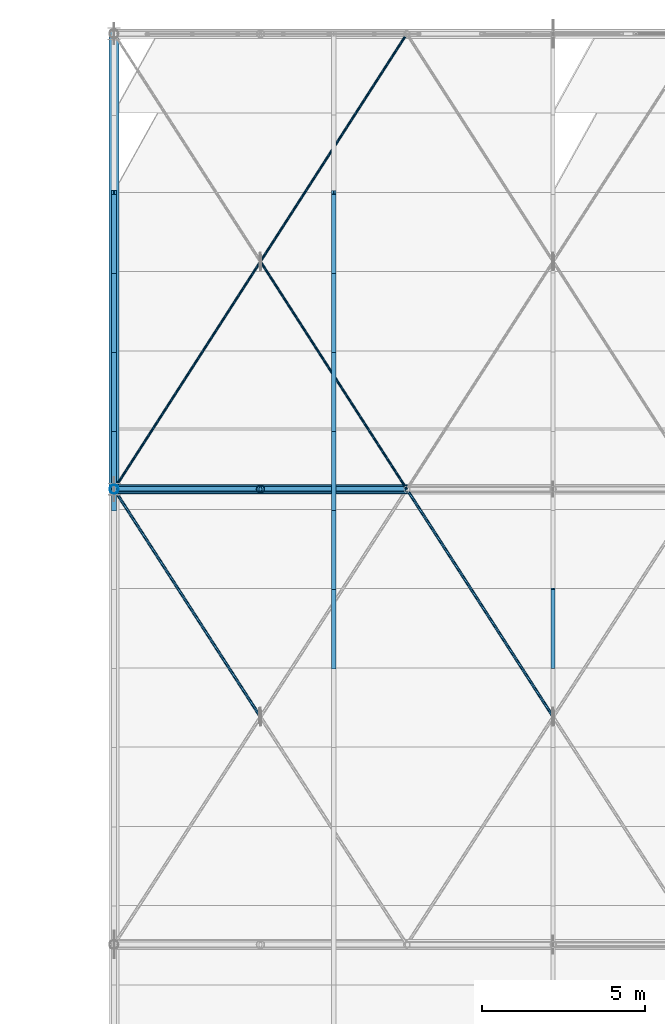
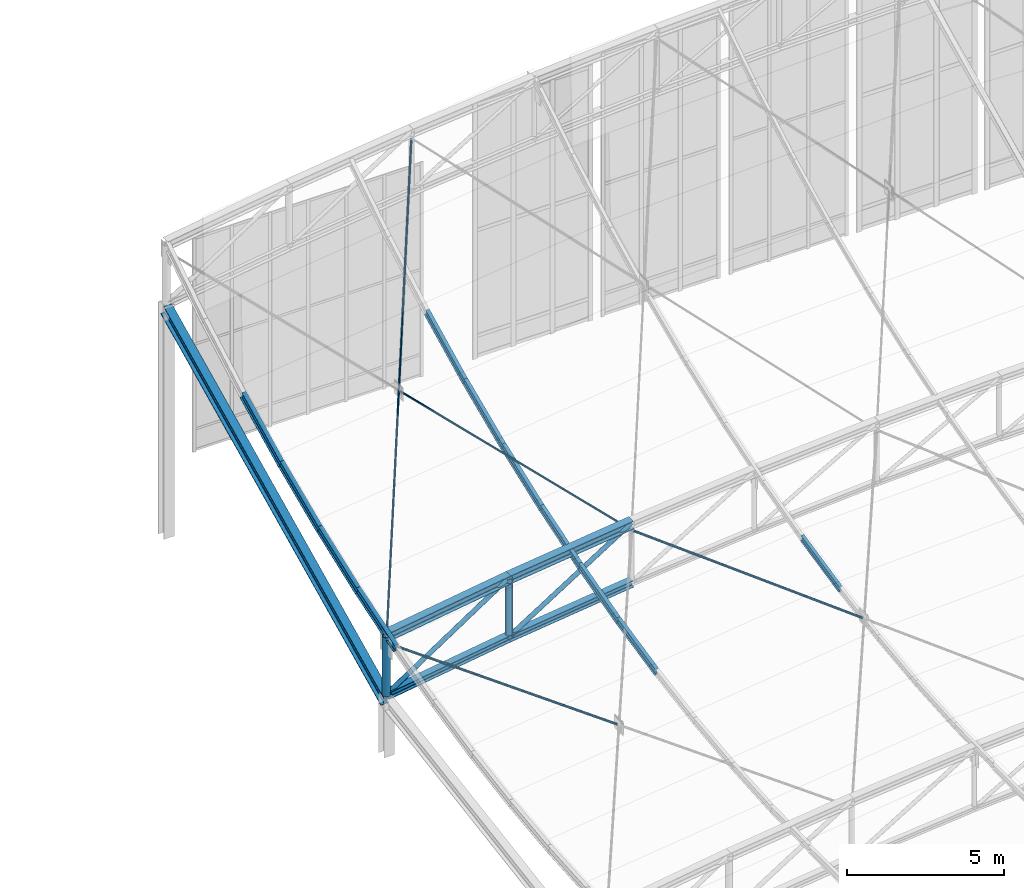
# One storey, part 176 of 262: 23 members, 1 beam.
"""IFC4 building model written with IfcOpenShell, lengths in metres."""

from ifc_helpers import new_model, si_unit, derived_unit, direction, frame, origin, origin_2d, place, context, subcontext, project, spatial, hollow_circle, i_section, extrude, material, material_profile, profile_set, type_object, element, save


model = new_model("IFC4")

# Units and contexts
model_context = context("Model", 3, precision=1e-05, world=origin(), true_north=direction((0.0, 1.0)))
body_context = subcontext(model_context, "Body", "Model", "MODEL_VIEW")
ifc_project = project(units=[si_unit("LENGTHUNIT", "METRE"), si_unit("AREAUNIT", "SQUARE_METRE"), si_unit("VOLUMEUNIT", "CUBIC_METRE"), si_unit("PLANEANGLEUNIT", "RADIAN"), si_unit("MASSUNIT", "GRAM", prefix="KILO"), derived_unit("THERMALTRANSMITTANCEUNIT", [(si_unit("POWERUNIT", "WATT"), 1), (si_unit("LENGTHUNIT", "METRE"), -2), (si_unit("THERMODYNAMICTEMPERATUREUNIT", "KELVIN"), -1)])], contexts=[model_context])

# Site, building, storey
site_placement = place(None, origin())
site = spatial("IfcSite", under=ifc_project, at=site_placement, CompositionType="ELEMENT")
building_placement = place(site_placement, origin())
building = spatial("IfcBuilding", under=site, at=building_placement, Name="Almenara Railside Exhibition Hall", CompositionType="ELEMENT")
storey_placement = place(building_placement, frame((0.0, 0.0, 21.699951171875)))
storey = spatial("IfcBuildingStorey", under=building, at=storey_placement, Name="RF", CompositionType="ELEMENT", Elevation=21.699951171875)

# Members
ifc_material = material(Name="Structural steel S355JR", Category="steel")
ifc_material_profile_1 = material_profile(ifc_material, i_section(OverallWidth=0.260009765625, OverallDepth=0.260009765625, WebThickness=0.010009765625, FlangeThickness=0.017578125, FilletRadius=0.02392578125, at=origin_2d()), Name="HEB 260")
ifc_profile_set_1 = profile_set([ifc_material_profile_1], Name="Structural steel S355JR")
member_type_1 = type_object("IfcMemberType", Name="Arched Truss Bottom Chord HEB 260 S355JR", PredefinedType="CHORD", material=ifc_profile_set_1)
member_1_placement = place(storey_placement, frame((138.0, 118.0, -7.31640625), z_axis=(0.9890290442, 0.0, 0.147721189165), x_axis=(0.0, 1.0, 0.0)))
element("IfcMember", 1, at=member_1_placement, inside=storey, type_object=member_type_1, Name="MEM-BC-V2-06-00", PredefinedType="CHORD", context=body_context, shape_type="SweptSolid", body=[
    extrude(i_section(OverallWidth=0.260009765625, OverallDepth=0.260009765625, WebThickness=0.010009765625, FlangeThickness=0.017578125, FilletRadius=0.02392578125, at=origin_2d()), origin(), (0.0, 0.0, 1.0), 4.5498046875),
])
member_2_placement = place(storey_placement, frame((142.5, 118.0, -6.644287109375), z_axis=(0.992612220818, 0.0, 0.121330041965), x_axis=(0.0, 1.0, 0.0)))
element("IfcMember", 2, at=member_2_placement, inside=storey, type_object=member_type_1, Name="MEM-BC-V2-06-01", PredefinedType="CHORD", context=body_context, shape_type="SweptSolid", body=[
    extrude(i_section(OverallWidth=0.260009765625, OverallDepth=0.260009765625, WebThickness=0.010009765625, FlangeThickness=0.017578125, FilletRadius=0.02392578125, at=origin_2d()), origin(), (0.0, 0.0, 1.0), 4.533447265625),
])
ifc_material_profile_2 = material_profile(ifc_material, i_section(OverallWidth=0.300048828125, OverallDepth=0.320068359375, WebThickness=0.011474609375, FlangeThickness=0.0205078125, FilletRadius=0.027099609375, at=origin_2d()), Name="HEB 320")
ifc_profile_set_2 = profile_set([ifc_material_profile_2], Name="Structural steel S355JR")
member_type_2 = type_object("IfcMemberType", Name="Arched Truss Top Chord HEB 320 S355JR", PredefinedType="CHORD", material=ifc_profile_set_2)
member_3_placement = place(storey_placement, frame((138.0, 118.0, -5.016357421875), z_axis=(0.9890290442, 0.0, 0.147721189165), x_axis=(0.0, 1.0, 0.0)))
element("IfcMember", 3, at=member_3_placement, inside=storey, type_object=member_type_2, Name="MEM-TC-V2-06-00", PredefinedType="CHORD", context=body_context, shape_type="SweptSolid", body=[
    extrude(i_section(OverallWidth=0.300048828125, OverallDepth=0.320068359375, WebThickness=0.011474609375, FlangeThickness=0.0205078125, FilletRadius=0.027099609375, at=origin_2d()), origin(), (0.0, 0.0, 1.0), 4.5498046875),
])
member_4_placement = place(storey_placement, frame((142.5, 118.0, -4.34423828125), z_axis=(0.992612220818, 0.0, 0.121330041965), x_axis=(0.0, 1.0, 0.0)))
element("IfcMember", 4, at=member_4_placement, inside=storey, type_object=member_type_2, Name="MEM-TC-V2-06-01", PredefinedType="CHORD", context=body_context, shape_type="SweptSolid", body=[
    extrude(i_section(OverallWidth=0.300048828125, OverallDepth=0.320068359375, WebThickness=0.011474609375, FlangeThickness=0.0205078125, FilletRadius=0.027099609375, at=origin_2d()), origin(), (0.0, 0.0, 1.0), 4.533447265625),
])
ifc_material_profile_3 = material_profile(ifc_material, hollow_circle(Radius=0.04443359375, WallThickness=0.00390625, at=origin_2d()), Name="CHS 88.9x4")
ifc_profile_set_3 = profile_set([ifc_material_profile_3], Name="Structural steel S355JR")
member_type_3 = type_object("IfcMemberType", Name="Canopy Tie Brace CHS 88.9x4 S355JR", PredefinedType="BRACE", material=ifc_profile_set_3)
member_5_placement = place(storey_placement, frame((142.473876953125, 111.040771484375, -5.816650390625), z_axis=(-0.539698970492, 0.839515369924, 0.062761173594), x_axis=(-0.841173681351, -0.540765048614, 0.0)))
element("IfcMember", 5, at=member_5_placement, inside=storey, type_object=member_type_3, Name="MEM-WB-V2-WB-CHS89-05-00-S2", PredefinedType="BRACE", context=body_context, shape_type="SweptSolid", body=[
    extrude(hollow_circle(Radius=0.04443359375, WallThickness=0.00390625, at=origin_2d()), origin(), (0.0, 0.0, 1.0), 8.28955078125),
])
member_6_placement = place(storey_placement, frame((151.473876953125, 111.04052734375, -4.83740234375), z_axis=(-0.538465539227, 0.837626120667, 0.091855021862), x_axis=(-0.841182310454, -0.54075162559, 0.0)))
element("IfcMember", 6, at=member_6_placement, inside=storey, type_object=member_type_3, Name="MEM-WB-V2-WB-CHS89-05-02-S2", PredefinedType="BRACE", context=body_context, shape_type="SweptSolid", body=[
    extrude(hollow_circle(Radius=0.04443359375, WallThickness=0.00390625, at=origin_2d()), origin(), (0.0, 0.0, 1.0), 8.30859375),
])
ifc_material_profile_4 = material_profile(ifc_material, i_section(OverallWidth=0.14990234375, OverallDepth=0.300048828125, WebThickness=0.007080078125, FlangeThickness=0.0107421875, FilletRadius=0.014892578125, at=origin_2d()), Name="IPE 300")
ifc_profile_set_4 = profile_set([ifc_material_profile_4], Name="Structural steel S355JR")
member_type_4 = type_object("IfcMemberType", Name="East Hall Ridge Purlin IPE 300 S355JR", PredefinedType="PURLIN", material=ifc_profile_set_4)
member_7_placement = place(storey_placement, frame((138.0, 117.3798828125, -5.138916015625), z_axis=(0.0, 0.952440767254, 0.304723784553), x_axis=(-1.0, 0.0, 0.0)))
element("IfcMember", 7, at=member_7_placement, inside=storey, type_object=member_type_4, Name="MEM-PR-V2-PR-IPE300-00-22", PredefinedType="PURLIN", context=body_context, shape_type="SweptSolid", body=[
    extrude(i_section(OverallWidth=0.14990234375, OverallDepth=0.300048828125, WebThickness=0.007080078125, FlangeThickness=0.0107421875, FilletRadius=0.014892578125, at=origin_2d()), origin(), (0.0, 0.0, 1.0), 2.55810546875),
])
member_8_placement = place(storey_placement, frame((138.0, 119.81640625, -4.36572265625), z_axis=(0.0, 0.936171044044, 0.351544842508), x_axis=(-1.0, 0.0, 0.0)))
element("IfcMember", 8, at=member_8_placement, inside=storey, type_object=member_type_4, Name="MEM-PR-V2-PR-IPE300-00-23", PredefinedType="PURLIN", context=body_context, shape_type="SweptSolid", body=[
    extrude(i_section(OverallWidth=0.14990234375, OverallDepth=0.300048828125, WebThickness=0.007080078125, FlangeThickness=0.0107421875, FilletRadius=0.014892578125, at=origin_2d()), origin(), (0.0, 0.0, 1.0), 2.60302734375),
])
member_9_placement = place(storey_placement, frame((138.0, 122.253173828125, -3.458251953125), z_axis=(0.0, 0.917223393452, 0.398373250237), x_axis=(-1.0, 0.0, 0.0)))
element("IfcMember", 9, at=member_9_placement, inside=storey, type_object=member_type_4, Name="MEM-PR-V2-PR-IPE300-00-24", PredefinedType="PURLIN", context=body_context, shape_type="SweptSolid", body=[
    extrude(i_section(OverallWidth=0.14990234375, OverallDepth=0.300048828125, WebThickness=0.007080078125, FlangeThickness=0.0107421875, FilletRadius=0.014892578125, at=origin_2d()), origin(), (0.0, 0.0, 1.0), 2.65673828125),
])
member_10_placement = place(storey_placement, frame((138.0, 124.68994140625, -2.408935546875), z_axis=(0.0, 0.895411841447, 0.445238850727), x_axis=(-1.0, 0.0, 0.0)))
element("IfcMember", 10, at=member_10_placement, inside=storey, type_object=member_type_4, Name="MEM-PR-V2-PR-IPE300-00-25", PredefinedType="PURLIN", context=body_context, shape_type="SweptSolid", body=[
    extrude(i_section(OverallWidth=0.14990234375, OverallDepth=0.300048828125, WebThickness=0.007080078125, FlangeThickness=0.0107421875, FilletRadius=0.014892578125, at=origin_2d()), origin(), (0.0, 0.0, 1.0), 2.721435546875),
])
ifc_material_profile_5 = material_profile(ifc_material, i_section(OverallWidth=0.135009765625, OverallDepth=0.27001953125, WebThickness=0.006591796875, FlangeThickness=0.01025390625, FilletRadius=0.014892578125, at=origin_2d()), Name="IPE 270")
ifc_profile_set_5 = profile_set([ifc_material_profile_5], Name="Structural steel S355JR")
member_type_5 = type_object("IfcMemberType", Name="East Hall Standard Purlin IPE 270 S355JR", PredefinedType="PURLIN", material=ifc_profile_set_5)
member_11_placement = place(storey_placement, frame((144.75, 112.50634765625, -5.461181640625), z_axis=(0.0, 0.977496103583, 0.210953472309), x_axis=(-1.0, 0.0, 0.0)))
element("IfcMember", 11, at=member_11_placement, inside=storey, type_object=member_type_5, Name="MEM-PR-V2-PR-IPE270-01-20", PredefinedType="PURLIN", context=body_context, shape_type="SweptSolid", body=[
    extrude(i_section(OverallWidth=0.135009765625, OverallDepth=0.27001953125, WebThickness=0.006591796875, FlangeThickness=0.01025390625, FilletRadius=0.014892578125, at=origin_2d()), origin(), (0.0, 0.0, 1.0), 2.492919921875),
])
member_12_placement = place(storey_placement, frame((144.75, 114.943115234375, -4.939453125), z_axis=(0.0, 0.966177075278, 0.257879543988), x_axis=(-1.0, 0.0, 0.0)))
element("IfcMember", 12, at=member_12_placement, inside=storey, type_object=member_type_5, Name="MEM-PR-V2-PR-IPE270-01-21", PredefinedType="PURLIN", context=body_context, shape_type="SweptSolid", body=[
    extrude(i_section(OverallWidth=0.135009765625, OverallDepth=0.27001953125, WebThickness=0.006591796875, FlangeThickness=0.01025390625, FilletRadius=0.014892578125, at=origin_2d()), origin(), (0.0, 0.0, 1.0), 2.52197265625),
])
member_13_placement = place(storey_placement, frame((144.75, 117.3798828125, -4.294189453125), z_axis=(0.0, 0.952440767254, 0.304723784553), x_axis=(-1.0, 0.0, 0.0)))
element("IfcMember", 13, at=member_13_placement, inside=storey, type_object=member_type_5, Name="MEM-PR-V2-PR-IPE270-01-22", PredefinedType="PURLIN", context=body_context, shape_type="SweptSolid", body=[
    extrude(i_section(OverallWidth=0.135009765625, OverallDepth=0.27001953125, WebThickness=0.006591796875, FlangeThickness=0.01025390625, FilletRadius=0.014892578125, at=origin_2d()), origin(), (0.0, 0.0, 1.0), 2.55810546875),
])
member_14_placement = place(storey_placement, frame((144.75, 119.81640625, -3.520751953125), z_axis=(0.0, 0.936171044044, 0.351544842508), x_axis=(-1.0, 0.0, 0.0)))
element("IfcMember", 14, at=member_14_placement, inside=storey, type_object=member_type_5, Name="MEM-PR-V2-PR-IPE270-01-23", PredefinedType="PURLIN", context=body_context, shape_type="SweptSolid", body=[
    extrude(i_section(OverallWidth=0.135009765625, OverallDepth=0.27001953125, WebThickness=0.006591796875, FlangeThickness=0.01025390625, FilletRadius=0.014892578125, at=origin_2d()), origin(), (0.0, 0.0, 1.0), 2.60302734375),
])
member_15_placement = place(storey_placement, frame((144.75, 122.253173828125, -2.613037109375), z_axis=(0.0, 0.917189812532, 0.398450558775), x_axis=(-1.0, 0.0, 0.0)))
element("IfcMember", 15, at=member_15_placement, inside=storey, type_object=member_type_5, Name="MEM-PR-V2-PR-IPE270-01-24", PredefinedType="PURLIN", context=body_context, shape_type="SweptSolid", body=[
    extrude(i_section(OverallWidth=0.135009765625, OverallDepth=0.27001953125, WebThickness=0.006591796875, FlangeThickness=0.01025390625, FilletRadius=0.014892578125, at=origin_2d()), origin(), (0.0, 0.0, 1.0), 2.65673828125),
])
member_16_placement = place(storey_placement, frame((144.75, 124.68994140625, -1.563232421875), z_axis=(0.0, 0.895376074457, 0.445310773831), x_axis=(-1.0, 0.0, 0.0)))
element("IfcMember", 16, at=member_16_placement, inside=storey, type_object=member_type_5, Name="MEM-PR-V2-PR-IPE270-01-25", PredefinedType="PURLIN", context=body_context, shape_type="SweptSolid", body=[
    extrude(i_section(OverallWidth=0.135009765625, OverallDepth=0.27001953125, WebThickness=0.006591796875, FlangeThickness=0.01025390625, FilletRadius=0.014892578125, at=origin_2d()), origin(), (0.0, 0.0, 1.0), 2.721435546875),
])
ifc_material_profile_6 = material_profile(ifc_material, hollow_circle(Radius=0.0380859375, WallThickness=0.003662109375, at=origin_2d()), Name="CHS 76.1x3.6")
ifc_profile_set_6 = profile_set([ifc_material_profile_6], Name="Structural steel S355JR")
member_type_6 = type_object("IfcMemberType", Name="Lantern Cross-Tie Brace CHS 76.1x3.6 S355JR", PredefinedType="BRACE", material=ifc_profile_set_6)
member_17_placement = place(storey_placement, frame((138.0, 118.0, -5.29638671875), z_axis=(0.48807681633, 0.759230603179, 0.430522836279), x_axis=(-0.841178475377, 0.540757591313, 0.0)))
element("IfcMember", 17, at=member_17_placement, inside=storey, type_object=member_type_6, Name="MEM-WB-V2-WB-CHS76-06-00-C", PredefinedType="BRACE", context=body_context, shape_type="SweptSolid", body=[
    extrude(hollow_circle(Radius=0.0380859375, WallThickness=0.003662109375, at=origin_2d()), origin(), (0.0, 0.0, 1.0), 18.439697265625),
])
member_18_placement = place(storey_placement, frame((147.0, 118.0, -4.07421875), z_axis=(-0.51351596629, 0.798771510146, 0.313473167821), x_axis=(-0.841168897058, -0.54077249063, 0.0)))
element("IfcMember", 18, at=member_18_placement, inside=storey, type_object=member_type_6, Name="MEM-WB-V2-WB-CHS76-06-00-S1", PredefinedType="BRACE", context=body_context, shape_type="SweptSolid", body=[
    extrude(hollow_circle(Radius=0.0380859375, WallThickness=0.003662109375, at=origin_2d()), origin(), (0.0, 0.0, 1.0), 8.72119140625),
])
ifc_material_profile_7 = material_profile(ifc_material, i_section(OverallWidth=0.1201171875, OverallDepth=0.239990234375, WebThickness=0.006103515625, FlangeThickness=0.009765625, FilletRadius=0.014892578125, at=origin_2d()), Name="IPE 240")
ifc_profile_set_7 = profile_set([ifc_material_profile_7], Name="Structural steel S355JR")
member_type_7 = type_object("IfcMemberType", Name="Scroll Roof Purlin IPE 240 S355JR", PredefinedType="PURLIN", material=ifc_profile_set_7)
member_19_placement = place(storey_placement, frame((151.5, 112.50634765625, -4.61767578125), z_axis=(0.0, 0.977496103583, 0.210953472309), x_axis=(-1.0, 0.0, 0.0)))
element("IfcMember", 19, at=member_19_placement, inside=storey, type_object=member_type_7, Name="MEM-PR-V2-PR-IPE240-02-20", PredefinedType="PURLIN", context=body_context, shape_type="SweptSolid", body=[
    extrude(i_section(OverallWidth=0.1201171875, OverallDepth=0.239990234375, WebThickness=0.006103515625, FlangeThickness=0.009765625, FilletRadius=0.014892578125, at=origin_2d()), origin(), (0.0, 0.0, 1.0), 2.492919921875),
])

# Beam
ifc_material_profile_8 = material_profile(ifc_material, i_section(OverallWidth=0.300048828125, OverallDepth=0.449951171875, WebThickness=0.013916015625, FlangeThickness=0.02587890625, FilletRadius=0.027099609375, at=origin_2d()), Name="HEB 450")
ifc_profile_set_8 = profile_set([ifc_material_profile_8], Name="Structural steel S355JR")
beam_type = type_object("IfcBeamType", Name="Steel Roof Eaves Tie Girder HEB 450 S355JR", PredefinedType="USERDEFINED", material=ifc_profile_set_8)
beam_placement = place(storey_placement, frame((138.0, 118.0, -7.54150390625), z_axis=(0.0, 0.901609647844, 0.432550624683), x_axis=(-1.0, 0.0, 0.0)))
element("IfcBeam", 20, at=beam_placement, inside=storey, type_object=beam_type, Name="Beam 0987", ObjectType="GIRDER", PredefinedType="USERDEFINED", context=body_context, shape_type="SweptSolid", body=[
    extrude(i_section(OverallWidth=0.300048828125, OverallDepth=0.449951171875, WebThickness=0.013916015625, FlangeThickness=0.02587890625, FilletRadius=0.027099609375, at=origin_2d()), origin(), (0.0, 0.0, 1.0), 15.52783203125),
])

# Members
ifc_material_profile_9 = material_profile(ifc_material, hollow_circle(Radius=0.084228515625, WallThickness=0.006103515625, at=origin_2d()), Name="CHS 168.3x6")
ifc_profile_set_9 = profile_set([ifc_material_profile_9], Name="Structural steel S355JR")
member_type_8 = type_object("IfcMemberType", Name="Truss End Diagonal CHS 168.3x6 S355JR", PredefinedType="BRACE", material=ifc_profile_set_9)
member_20_placement = place(storey_placement, frame((138.0, 118.0, -7.31640625), z_axis=(0.834424544227, 0.0, 0.551122200598), x_axis=(0.0, 1.0, 0.0)))
element("IfcMember", 21, at=member_20_placement, inside=storey, type_object=member_type_8, Name="MEM-TD-V2-06-00", PredefinedType="BRACE", context=body_context, shape_type="SweptSolid", body=[
    extrude(hollow_circle(Radius=0.084228515625, WallThickness=0.006103515625, at=origin_2d()), origin(), (0.0, 0.0, 1.0), 5.392822265625),
])
member_21_placement = place(storey_placement, frame((142.5, 118.0, -6.644287109375), z_axis=(0.844810788273, 0.0, 0.535065166141), x_axis=(0.0, 1.0, 0.0)))
element("IfcMember", 22, at=member_21_placement, inside=storey, type_object=member_type_8, Name="MEM-TD-V2-06-01", PredefinedType="BRACE", context=body_context, shape_type="SweptSolid", body=[
    extrude(hollow_circle(Radius=0.084228515625, WallThickness=0.006103515625, at=origin_2d()), origin(), (0.0, 0.0, 1.0), 5.32666015625),
])
ifc_material_profile_10 = material_profile(ifc_material, hollow_circle(Radius=0.122314453125, WallThickness=0.008056640625, at=origin_2d()), Name="CHS 244.5x8")
ifc_profile_set_10 = profile_set([ifc_material_profile_10], Name="Structural steel S355JR")
member_type_9 = type_object("IfcMemberType", Name="Truss Haunch Vertical Strut CHS 244.5x8 S355JR", PredefinedType="BRACE", material=ifc_profile_set_10)
member_22_placement = place(storey_placement, frame((142.5, 118.0, -6.644287109375), z_axis=(0.0, 0.0, 1.0), x_axis=(1.0, 0.0, 0.0)))
element("IfcMember", 23, at=member_22_placement, inside=storey, type_object=member_type_9, Name="MEM-TV-V2-06-01", PredefinedType="BRACE", context=body_context, shape_type="SweptSolid", body=[
    extrude(hollow_circle(Radius=0.122314453125, WallThickness=0.008056640625, at=origin_2d()), origin(), (0.0, 0.0, 1.0), 2.300048828125),
])
ifc_material_profile_11 = material_profile(ifc_material, hollow_circle(Radius=0.136474609375, WallThickness=0.008056640625, at=origin_2d()), Name="CHS 273x8")
ifc_profile_set_11 = profile_set([ifc_material_profile_11], Name="Structural steel S355JR")
member_type_10 = type_object("IfcMemberType", Name="Truss Support Vertical Strut CHS 273x8 S355JR", PredefinedType="BRACE", material=ifc_profile_set_11)
member_23_placement = place(storey_placement, frame((138.0, 118.0, -7.31640625), z_axis=(0.0, 0.0, 1.0), x_axis=(1.0, 0.0, 0.0)))
element("IfcMember", 24, at=member_23_placement, inside=storey, type_object=member_type_10, Name="MEM-TV-V2-06-00", PredefinedType="BRACE", context=body_context, shape_type="SweptSolid", body=[
    extrude(hollow_circle(Radius=0.136474609375, WallThickness=0.008056640625, at=origin_2d()), origin(), (0.0, 0.0, 1.0), 2.300048828125),
])

save(model, "model.ifc")
